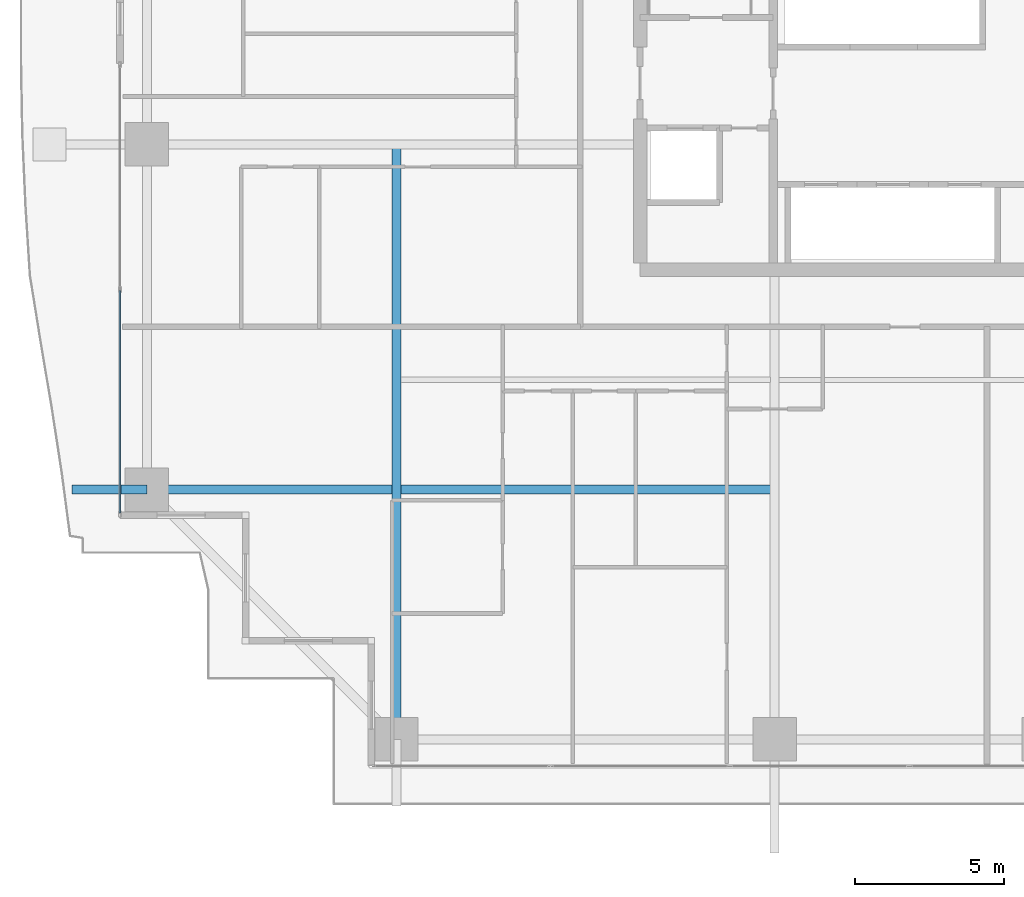
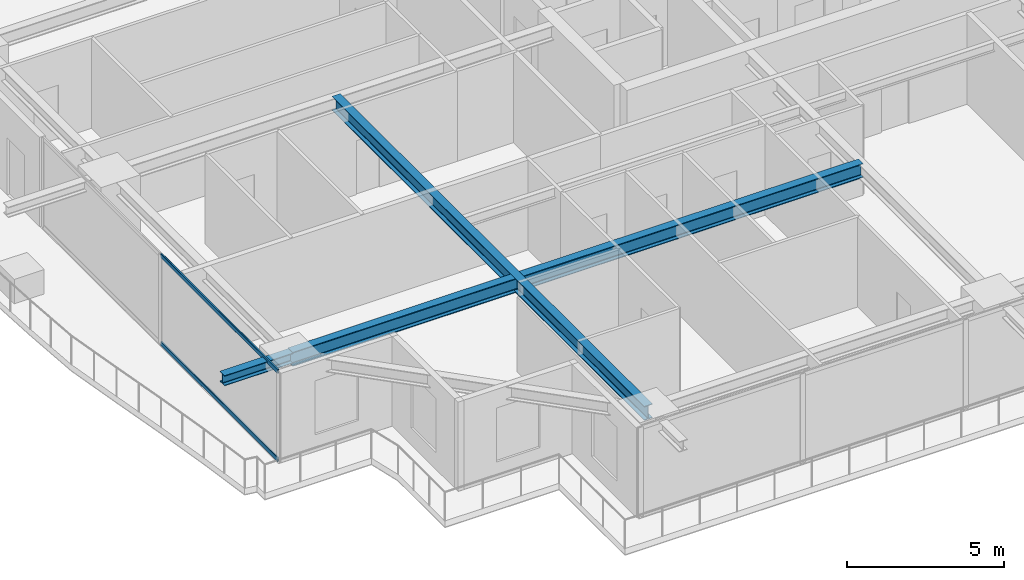
# One storey, part 3 of 34: 3 beams, 2 members, 1 element without a shape of its own.
"""IFC4 building model written with IfcOpenShell, lengths in metres."""

from ifc_helpers import new_model, si_unit, direction, frame, origin, origin_2d, place, context, subcontext, project, spatial, hollow_rectangle, i_section, extrude, source, transform, mapped, material, layer, layer_set, material_profile, profile_set, type_object, element, aggregate, save


model = new_model("IFC4")

# Units and contexts
model_context = context("Model", 3, precision=1e-05, world=origin(), true_north=direction((0.0, 1.0)))
body_context = subcontext(model_context, "Body", "Model", "MODEL_VIEW")
ifc_project = project(units=[si_unit("LENGTHUNIT", "METRE"), si_unit("AREAUNIT", "SQUARE_METRE"), si_unit("VOLUMEUNIT", "CUBIC_METRE"), si_unit("PLANEANGLEUNIT", "RADIAN"), si_unit("MASSUNIT", "GRAM", prefix="KILO")], contexts=[model_context])

# Site, building, storey
site_placement = place(None, origin())
site = spatial("IfcSite", under=ifc_project, at=site_placement, CompositionType="ELEMENT")
building_placement = place(site_placement, origin())
building = spatial("IfcBuilding", under=site, at=building_placement, Name="Serunith Strait Residences", CompositionType="ELEMENT")
storey_placement = place(building_placement, frame((0.0, 0.0, 101.699951171875)))
storey = spatial("IfcBuildingStorey", under=building, at=storey_placement, Name="L25", CompositionType="ELEMENT", Elevation=101.699951171875)

# Beams
ifc_material_1 = material(Name="Steel S355J2", Category="steel")
ifc_material_profile_1 = material_profile(ifc_material_1, i_section(OverallWidth=0.300048828125, OverallDepth=0.550048828125, WebThickness=0.014892578125, FlangeThickness=0.029052734375, FilletRadius=0.027099609375, at=origin_2d()), Name="HEB 550")
ifc_profile_set_1 = profile_set([ifc_material_profile_1], Name="Steel S355J2")
beam_type_1 = type_object("IfcBeamType", Name="BM-HEB550", PredefinedType="BEAM", material=ifc_profile_set_1)
shared_shape_1 = source(origin(), body_context, "Body", "SweptSolid", [
    extrude(i_section(OverallWidth=0.300048828125, OverallDepth=0.550048828125, WebThickness=0.014892578125, FlangeThickness=0.029052734375, FilletRadius=0.027099609375, at=origin_2d()), origin(), (0.0, 0.0, 1.0), 19.89990234375),
])
beam_1_placement = place(storey_placement, frame((15.25, 21.0, 3.212158203125), z_axis=(0.0, -1.0, 0.0), x_axis=(1.0, 0.0, 0.0)))
element("IfcBeam", 1, at=beam_1_placement, inside=storey, type_object=beam_type_1, Name="L25 Orthogonal Corner Girder TC-S1", PredefinedType="BEAM", context=body_context, shape_type="MappedRepresentation", body=[
    mapped(shared_shape_1, transform((0.0, 0.0, 0.0), scale=1.0)),
])
shared_shape_2 = source(origin(), body_context, "Body", "SweptSolid", [
    extrude(i_section(OverallWidth=0.300048828125, OverallDepth=0.550048828125, WebThickness=0.014892578125, FlangeThickness=0.029052734375, FilletRadius=0.027099609375, at=origin_2d()), origin(), (0.0, 0.0, 1.0), 21.0),
])
beam_2_placement = place(storey_placement, frame((27.89990234375, 9.449951171875, 3.212158203125), z_axis=(-1.0, 0.0, 0.0), x_axis=(0.0, -1.0, 0.0)))
element("IfcBeam", 2, at=beam_2_placement, inside=storey, type_object=beam_type_1, Name="L25 Orthogonal Corner Girder TC-W1", PredefinedType="BEAM", context=body_context, shape_type="MappedRepresentation", body=[
    mapped(shared_shape_2, transform((0.0, 0.0, 0.0), scale=1.0)),
])
ifc_material_profile_2 = material_profile(ifc_material_1, i_section(OverallWidth=0.300048828125, OverallDepth=0.39990234375, WebThickness=0.013427734375, FlangeThickness=0.02392578125, FilletRadius=0.027099609375, at=origin_2d()), Name="HEB 400")
ifc_profile_set_2 = profile_set([ifc_material_profile_2], Name="Steel S355J2")
beam_type_2 = type_object("IfcBeamType", Name="BM-HEB400", PredefinedType="BEAM", material=ifc_profile_set_2)
shared_shape_3 = source(origin(), body_context, "Body", "SweptSolid", [
    extrude(i_section(OverallWidth=0.300048828125, OverallDepth=0.39990234375, WebThickness=0.013427734375, FlangeThickness=0.02392578125, FilletRadius=0.027099609375, at=origin_2d()), origin(), (0.0, 0.0, 1.0), 2.5087890625),
])
beam_3_placement = place(storey_placement, frame((6.89990234375, 9.449951171875, 3.257080078125), z_axis=(-1.0, 0.0, 0.0), x_axis=(0.0, -1.0, 0.0)))
element("IfcBeam", 3, at=beam_3_placement, inside=storey, type_object=beam_type_2, Name="L26 Cantilevered Balcony Rib TC-W1", PredefinedType="BEAM", context=body_context, shape_type="MappedRepresentation", body=[
    mapped(shared_shape_3, transform((0.0, 0.0, 0.0), scale=1.0)),
])

# Curtain wall, members
ifc_material_2 = material(Name="Pale-Champagne Anodised Aluminium", Category="aluminium")
ifc_layer = layer(ifc_material_2, 0.199951171875, Name="Pale-Champagne Anodised Aluminium")
ifc_layer_set = layer_set([ifc_layer], Name="Pale-Champagne Anodised Aluminium")
curtain_wall_type = type_object("IfcCurtainWallType", Name="CW-SYS1", PredefinedType="NOTDEFINED", material=ifc_layer_set)
curtain_wall_placement = place(storey_placement, origin())
curtain_wall = element("IfcCurtainWall", 4, at=curtain_wall_placement, inside=storey, type_object=curtain_wall_type, Name="L25 W Unitised Fritted Curtain Wall", PredefinedType="NOTDEFINED")
ifc_material_profile_3 = material_profile(ifc_material_2, hollow_rectangle(XDim=0.06005859375, YDim=0.159912109375, WallThickness=0.00341796875, InnerFilletRadius=0.00537109375, OuterFilletRadius=0.0087890625, at=origin_2d()), Name="ALU 160x60x3.5")
ifc_profile_set_3 = profile_set([ifc_material_profile_3], Name="Pale-Champagne Anodised Aluminium")
member_type = type_object("IfcMemberType", Name="CW-SYS1-TRAN", PredefinedType="USERDEFINED", material=ifc_profile_set_3)
shared_shape_4 = source(origin(), body_context, "Body", "SweptSolid", [
    extrude(hollow_rectangle(XDim=0.06005859375, YDim=0.159912109375, WallThickness=0.00341796875, InnerFilletRadius=0.00537109375, OuterFilletRadius=0.0087890625, at=origin_2d()), origin(), (0.0, 0.0, 1.0), 7.445068359375),
])
member_1_placement = place(storey_placement, frame((6.0, 16.114990234375, 0.030029296875), z_axis=(0.0, -1.0, 0.0), x_axis=(1.0, 0.0, 0.0)))
member_1 = element("IfcMember", 5, at=member_1_placement, type_object=member_type, Name="CW-1 transom 2.1", ObjectType="TRANSOM", PredefinedType="USERDEFINED", context=body_context, shape_type="MappedRepresentation", body=[
    mapped(shared_shape_4, transform((0.0, 0.0, 0.0), scale=1.0)),
])
member_2_placement = place(storey_placement, frame((6.0, 16.114990234375, 3.445068359375), z_axis=(0.0, -1.0, 0.0), x_axis=(1.0, 0.0, 0.0)))
member_2 = element("IfcMember", 6, at=member_2_placement, type_object=member_type, Name="CW-1 transom 2.2", ObjectType="TRANSOM", PredefinedType="USERDEFINED", context=body_context, shape_type="MappedRepresentation", body=[
    mapped(shared_shape_4, transform((0.0, 0.0, 0.0), scale=1.0)),
])
aggregate(curtain_wall, [member_1, member_2])

save(model, "model.ifc")
